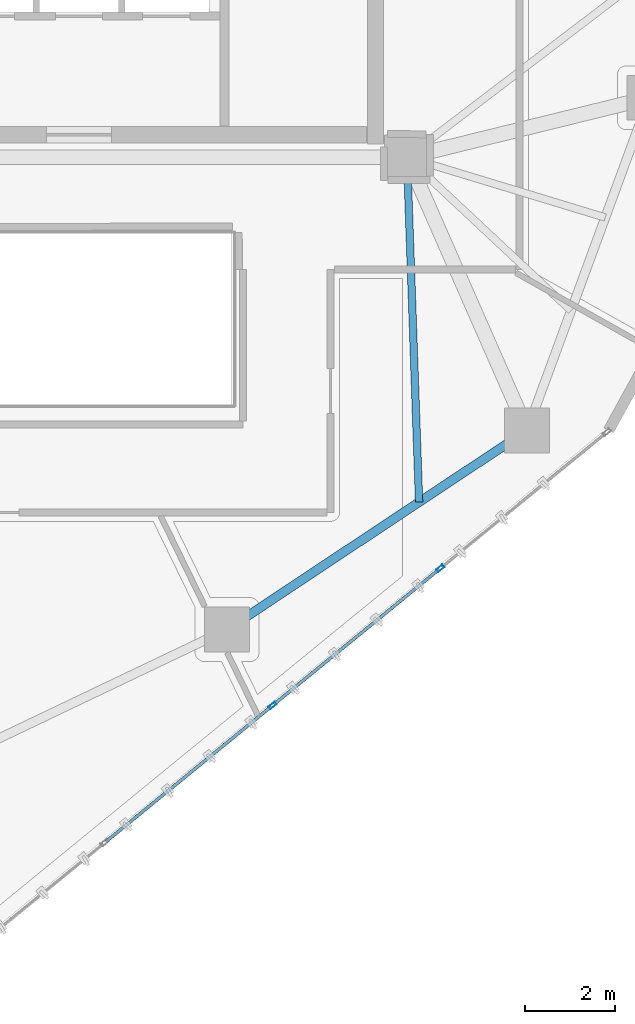
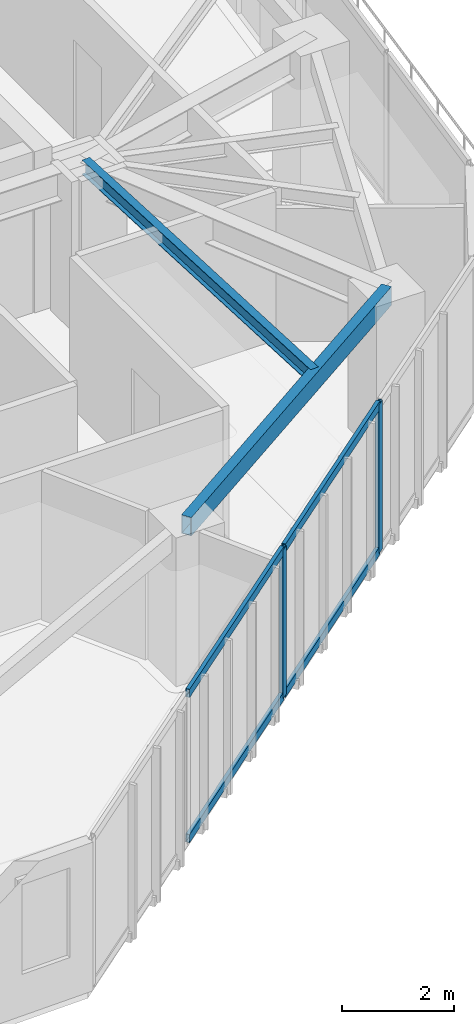
# One storey, part 6 of 22: 6 members, 2 beams, 1 element without a shape of its own.
"""IFC4 building model written with IfcOpenShell, lengths in metres."""

from ifc_helpers import new_model, si_unit, direction, frame, origin, origin_2d, place, context, subcontext, project, spatial, hollow_rectangle, i_section, extrude, source, transform, mapped, material, layer, layer_set, material_profile, profile_set, type_object, type_shapes, element, aggregate, save


model = new_model("IFC4")

# Units and contexts
model_context = context("Model", 3, precision=1e-05, world=origin(), true_north=direction((0.0, 1.0)))
body_context = subcontext(model_context, "Body", "Model", "MODEL_VIEW")
ifc_project = project(units=[si_unit("LENGTHUNIT", "METRE"), si_unit("AREAUNIT", "SQUARE_METRE"), si_unit("VOLUMEUNIT", "CUBIC_METRE"), si_unit("PLANEANGLEUNIT", "RADIAN"), si_unit("MASSUNIT", "GRAM", prefix="KILO")], contexts=[model_context])

# Site, building, storey
site_placement = place(None, origin())
site = spatial("IfcSite", under=ifc_project, at=site_placement, CompositionType="ELEMENT")
building_placement = place(site_placement, origin())
building = spatial("IfcBuilding", under=site, at=building_placement, Name="Talar Marvaseh", CompositionType="ELEMENT")
storey_placement = place(building_placement, frame((0.0, 0.0, 229.199951171875)))
storey = spatial("IfcBuildingStorey", under=building, at=storey_placement, Name="L60", CompositionType="ELEMENT", Elevation=229.199951171875)

# Beams
ifc_material_1 = material(Name="Steel S355", Category="steel")
ifc_material_profile_1 = material_profile(ifc_material_1, hollow_rectangle(XDim=0.199951171875, YDim=0.39990234375, WallThickness=0.013916015625, at=origin_2d()), Name="RHS400x200x14")
ifc_profile_set_1 = profile_set([ifc_material_profile_1], Name="Steel S355")
beam_type_1 = type_object("IfcBeamType", Name="Zone 3 Perimeter Spandrel Beam RHS400x200x14", PredefinedType="SPANDREL", material=ifc_profile_set_1)
beam_1_placement = place(storey_placement, frame((35.970947265625, 19.423095703125, 3.030029296875), z_axis=(-0.833127464163, -0.553081032452, 0.0), x_axis=(0.553081032452, -0.833127464163, 0.0)))
element("IfcBeam", 1, at=beam_1_placement, inside=storey, type_object=beam_type_1, Name="L60 Zone 3 Perimeter Spandrel Beam RHS400x200x14", PredefinedType="SPANDREL", context=body_context, shape_type="SweptSolid", body=[
    extrude(hollow_rectangle(XDim=0.199951171875, YDim=0.39990234375, WallThickness=0.013916015625, at=origin_2d()), origin(), (0.0, 0.0, 1.0), 8.00830078125),
])
ifc_material_profile_2 = material_profile(ifc_material_1, i_section(OverallWidth=0.166015625, OverallDepth=0.31298828125, WebThickness=0.006591796875, FlangeThickness=0.01123046875, at=origin_2d()), Name="W310x45")
ifc_profile_set_2 = profile_set([ifc_material_profile_2], Name="Steel S355")
beam_type_2 = type_object("IfcBeamType", Name="Zone 3 Secondary Floor Joist W310x45", PredefinedType="JOIST", material=ifc_profile_set_2)
beam_2_placement = place(storey_placement, frame((33.569091796875, 17.82861328125, 3.073486328125), z_axis=(-0.035049421089, 0.999385580285, 0.0), x_axis=(-0.999385580285, -0.035049421089, 0.0)))
element("IfcBeam", 2, at=beam_2_placement, inside=storey, type_object=beam_type_2, Name="L60 Zone 3 Secondary Floor Joist W310x45", PredefinedType="JOIST", context=body_context, shape_type="SweptSolid", body=[
    extrude(i_section(OverallWidth=0.166015625, OverallDepth=0.31298828125, WebThickness=0.006591796875, FlangeThickness=0.01123046875, at=origin_2d()), origin(), (0.0, 0.0, 1.0), 7.676025390625),
])

# Curtain wall, members
ifc_material_2 = material(Name="Architectural Aluminium", Category="aluminium")
ifc_layer = layer(ifc_material_2, 0.18994140625)
ifc_layer_set = layer_set([ifc_layer], Name="Architectural Aluminium")
curtain_wall_type = type_object("IfcCurtainWallType", Name="Unitised Solar Atelier Curtain Wall Z3", PredefinedType="NOTDEFINED", material=ifc_layer_set)
curtain_wall_placement = place(storey_placement, origin())
curtain_wall = element("IfcCurtainWall", 3, at=curtain_wall_placement, inside=storey, type_object=curtain_wall_type, Name="L60 Unitised Solar Atelier Curtain Wall Z3", PredefinedType="NOTDEFINED")
ifc_material_profile_3 = material_profile(ifc_material_2, hollow_rectangle(XDim=0.074951171875, YDim=0.179931640625, WallThickness=0.0048828125, at=origin_2d()), Name="RHS180x75x5")
ifc_profile_set_3 = profile_set([ifc_material_profile_3], Name="Architectural Aluminium")
member_type_1 = type_object("IfcMemberType", Name="Unitised Curtain Wall Standard Mullion RHS180x75x5", PredefinedType="MULLION", material=ifc_profile_set_3)
shared_shape_1 = source(origin(), body_context, "Body", "SweptSolid", [
    extrude(hollow_rectangle(XDim=0.074951171875, YDim=0.179931640625, WallThickness=0.0048828125, at=origin_2d()), origin(), (0.0, 0.0, 1.0), 3.22998046875),
])
type_shapes(member_type_1, [shared_shape_1])
member_1_placement = place(storey_placement, frame((34.0419921875, 16.35693359375, 0.0), z_axis=(0.0, 0.0, 1.0), x_axis=(0.632822116312, -0.774297209801, 0.0)))
member_1 = element("IfcMember", 4, at=member_1_placement, type_object=member_type_1, Name="CW-Z3 mullion 2", PredefinedType="MULLION", context=body_context, shape_type="MappedRepresentation", body=[
    mapped(shared_shape_1, transform((0.0, 0.0, 0.0), x_axis=(1.0, 0.0, 0.0), y_axis=(0.0, 1.0, 0.0), z_axis=(0.0, 0.0, 1.0), scale=1.0)),
])
member_2_placement = place(storey_placement, frame((30.308349609375, 13.305419921875, 0.0), z_axis=(0.0, 0.0, 1.0), x_axis=(0.632822116312, -0.774297209801, 0.0)))
member_2 = element("IfcMember", 5, at=member_2_placement, type_object=member_type_1, Name="CW-Z3 mullion 3", PredefinedType="MULLION", context=body_context, shape_type="MappedRepresentation", body=[
    mapped(shared_shape_1, transform((0.0, 0.0, 0.0), x_axis=(1.0, 0.0, 0.0), y_axis=(0.0, 1.0, 0.0), z_axis=(0.0, 0.0, 1.0), scale=1.0)),
])
ifc_material_profile_4 = material_profile(ifc_material_2, hollow_rectangle(XDim=0.074951171875, YDim=0.179931640625, WallThickness=0.0048828125, at=origin_2d()), Name="RHS180x75x5")
ifc_profile_set_4 = profile_set([ifc_material_profile_4], Name="Architectural Aluminium")
member_type_2 = type_object("IfcMemberType", Name="Unitised Curtain Wall Transom RHS180x75x5", PredefinedType="USERDEFINED", material=ifc_profile_set_4)
shared_shape_2 = source(origin(), body_context, "Body", "SweptSolid", [
    extrude(hollow_rectangle(XDim=0.074951171875, YDim=0.179931640625, WallThickness=0.0048828125, at=origin_2d()), origin(), (0.0, 0.0, 1.0), 4.7470703125),
])
member_3_placement = place(storey_placement, frame((30.279296875, 13.28173828125, 0.03759765625), z_axis=(-0.774278000607, -0.632845619228, 0.0), x_axis=(0.632845619228, -0.774278000607, 0.0)))
member_3 = element("IfcMember", 6, at=member_3_placement, type_object=member_type_2, Name="CW-Z3 transom 3.1", ObjectType="TRANSOM", PredefinedType="USERDEFINED", context=body_context, shape_type="MappedRepresentation", body=[
    mapped(shared_shape_2, transform((0.0, 0.0, 0.0), x_axis=(1.0, 0.0, 0.0), y_axis=(0.0, 1.0, 0.0), z_axis=(0.0, 0.0, 1.0), scale=1.0)),
])
member_4_placement = place(storey_placement, frame((30.279296875, 13.28173828125, 3.192626953125), z_axis=(-0.774278000607, -0.632845619228, 0.0), x_axis=(0.632845619228, -0.774278000607, 0.0)))
member_4 = element("IfcMember", 7, at=member_4_placement, type_object=member_type_2, Name="CW-Z3 transom 3.2", ObjectType="TRANSOM", PredefinedType="USERDEFINED", context=body_context, shape_type="MappedRepresentation", body=[
    mapped(shared_shape_2, transform((0.0, 0.0, 0.0), x_axis=(1.0, 0.0, 0.0), y_axis=(0.0, 1.0, 0.0), z_axis=(0.0, 0.0, 1.0), scale=1.0)),
])
shared_shape_3 = source(origin(), body_context, "Body", "SweptSolid", [
    extrude(hollow_rectangle(XDim=0.074951171875, YDim=0.179931640625, WallThickness=0.0048828125, at=origin_2d()), origin(), (0.0, 0.0, 1.0), 4.747314453125),
])
type_shapes(member_type_2, [shared_shape_2, shared_shape_3])
member_5_placement = place(storey_placement, frame((34.01318359375, 16.333251953125, 0.03759765625), z_axis=(-0.774298596744, -0.632820419297, 0.0), x_axis=(0.632820419297, -0.774298596744, 0.0)))
member_5 = element("IfcMember", 8, at=member_5_placement, type_object=member_type_2, Name="CW-Z3 transom 2.1", ObjectType="TRANSOM", PredefinedType="USERDEFINED", context=body_context, shape_type="MappedRepresentation", body=[
    mapped(shared_shape_3, transform((0.0, 0.0, 0.0), x_axis=(1.0, 0.0, 0.0), y_axis=(0.0, 1.0, 0.0), z_axis=(0.0, 0.0, 1.0), scale=1.0)),
])
member_6_placement = place(storey_placement, frame((34.01318359375, 16.333251953125, 3.192626953125), z_axis=(-0.774298596744, -0.632820419297, 0.0), x_axis=(0.632820419297, -0.774298596744, 0.0)))
member_6 = element("IfcMember", 9, at=member_6_placement, type_object=member_type_2, Name="CW-Z3 transom 2.2", ObjectType="TRANSOM", PredefinedType="USERDEFINED", context=body_context, shape_type="MappedRepresentation", body=[
    mapped(shared_shape_3, transform((0.0, 0.0, 0.0), x_axis=(1.0, 0.0, 0.0), y_axis=(0.0, 1.0, 0.0), z_axis=(0.0, 0.0, 1.0), scale=1.0)),
])
aggregate(curtain_wall, [member_1, member_2, member_5, member_6, member_3, member_4])

save(model, "model.ifc")
